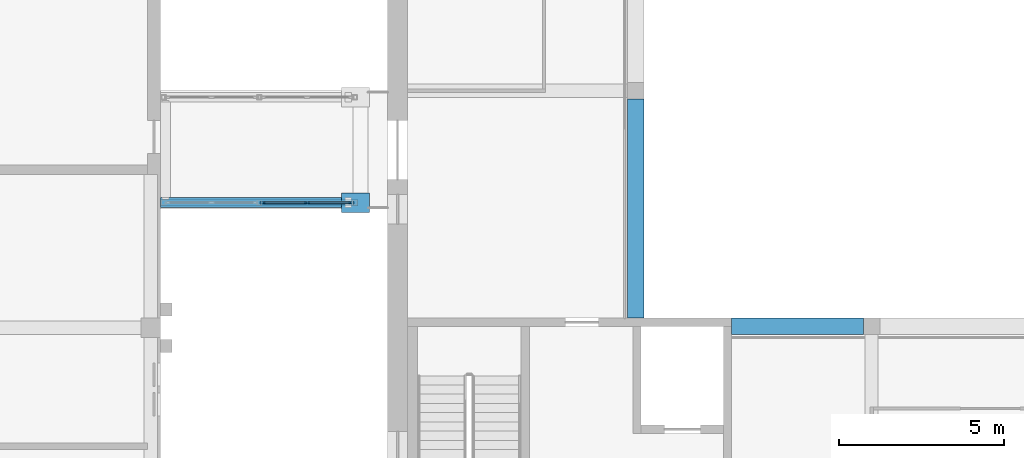
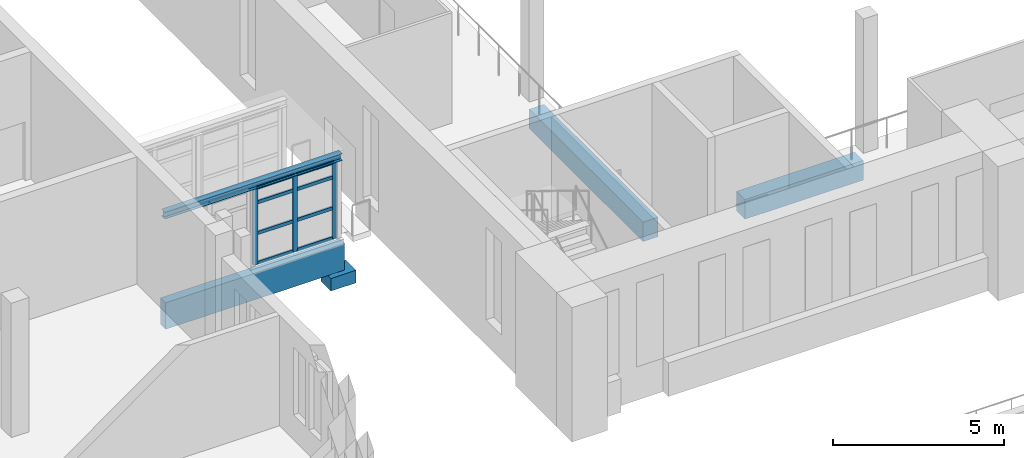
# One storey, part 34 of 131: 11 members, 5 beams, 1 element without a shape of its own.
"""IFC4 building model written with IfcOpenShell, lengths in metres."""

from ifc_helpers import new_model, si_unit, direction, frame, origin, origin_2d, place, context, subcontext, project, spatial, rectangle, i_section, extrude, material, layer, layer_set, material_profile, profile_set, type_object, element, aggregate, save


model = new_model("IFC4")

# Units and contexts
model_context = context("Model", 3, precision=1e-05, world=origin(), true_north=direction((0.0, 1.0)))
body_context = subcontext(model_context, "Body", "Model", "MODEL_VIEW")
ifc_project = project(units=[si_unit("LENGTHUNIT", "METRE"), si_unit("AREAUNIT", "SQUARE_METRE"), si_unit("VOLUMEUNIT", "CUBIC_METRE"), si_unit("PLANEANGLEUNIT", "RADIAN"), si_unit("MASSUNIT", "GRAM", prefix="KILO")], contexts=[model_context])

# Site, building, storey
site_placement = place(None, origin())
site = spatial("IfcSite", under=ifc_project, at=site_placement, CompositionType="ELEMENT")
building_placement = place(site_placement, origin())
building = spatial("IfcBuilding", under=site, at=building_placement, Name="Alderwick Market Hall", CompositionType="ELEMENT")
storey_placement = place(building_placement, frame((0.0, 0.0, 4.800048828125)))
storey = spatial("IfcBuildingStorey", under=building, at=storey_placement, Name="L00", CompositionType="ELEMENT", Elevation=4.800048828125)

# Beams
ifc_material_1 = material(Name="Concrete 5000 psi (f'c 35 MPa)", Category="concrete")
ifc_material_profile_1 = material_profile(ifc_material_1, rectangle(XDim=0.5, YDim=0.699951171875, at=origin_2d()), Name="RC 500x700")
ifc_profile_set_1 = profile_set([ifc_material_profile_1], Name="Concrete 5000 psi (f'c 35 MPa)")
beam_type_1 = type_object("IfcBeamType", Name="H Edge beam 500x700", PredefinedType="BEAM", material=ifc_profile_set_1)
beam_1_placement = place(storey_placement, frame((60.550048828125, 57.639892578125, -0.60009765625), z_axis=(1.0, 0.0, 0.0), x_axis=(0.0, 1.0, 0.0)))
element("IfcBeam", 1, at=beam_1_placement, inside=storey, type_object=beam_type_1, Name="Gallery edge beam S", PredefinedType="BEAM", context=body_context, shape_type="SweptSolid", body=[
    extrude(rectangle(XDim=0.5, YDim=0.699951171875, at=origin_2d()), origin(), (0.0, 0.0, 1.0), 4.0),
])
beam_2_placement = place(storey_placement, frame((57.639892578125, 57.889892578125, -0.60009765625), z_axis=(0.0, 1.0, 0.0), x_axis=(-1.0, 0.0, 0.0)))
element("IfcBeam", 2, at=beam_2_placement, inside=storey, type_object=beam_type_1, Name="Gallery edge beam W", PredefinedType="BEAM", context=body_context, shape_type="SweptSolid", body=[
    extrude(rectangle(XDim=0.5, YDim=0.699951171875, at=origin_2d()), origin(), (0.0, 0.0, 1.0), 6.66015625),
])

# Curtain wall, members
ifc_material_2 = material(Name="Aluminium frame", Category="aluminium")
ifc_layer = layer(ifc_material_2, 0.10009765625)
ifc_layer_set = layer_set([ifc_layer], Name="Aluminium frame")
curtain_wall_type = type_object("IfcCurtainWallType", Name="P Curtain Wall 100", PredefinedType="NOTDEFINED", material=ifc_layer_set)
curtain_wall_placement = place(storey_placement, origin())
curtain_wall = element("IfcCurtainWall", 3, at=curtain_wall_placement, inside=storey, type_object=curtain_wall_type, Name="P.P6.cw.a1", PredefinedType="NOTDEFINED")
ifc_material_profile_2 = material_profile(ifc_material_2, rectangle(XDim=0.06005859375, YDim=0.159912109375, at=origin_2d()), Name="P Mullion 60x160")
ifc_profile_set_2 = profile_set([ifc_material_profile_2], Name="Aluminium frame")
member_type_1 = type_object("IfcMemberType", Name="P Mullion 60x160", PredefinedType="MULLION", material=ifc_profile_set_2)
member_1_placement = place(storey_placement, frame((46.305908203125, 61.39990234375, 0.0), z_axis=(0.0, 0.0, 1.0), x_axis=(0.0, 1.0, 0.0)))
member_1 = element("IfcMember", 4, at=member_1_placement, type_object=member_type_1, Name="P-CW6a1 mullion 1", PredefinedType="MULLION", context=body_context, shape_type="SweptSolid", body=[
    extrude(rectangle(XDim=0.06005859375, YDim=0.159912109375, at=origin_2d()), origin(), (0.0, 0.0, 1.0), 2.7529296875),
])
member_2_placement = place(storey_placement, frame((47.64990234375, 61.39990234375, 0.0), z_axis=(0.0, 0.0, 1.0), x_axis=(0.0, 1.0, 0.0)))
member_2 = element("IfcMember", 5, at=member_2_placement, type_object=member_type_1, Name="P-CW6a1 mullion 2", PredefinedType="MULLION", context=body_context, shape_type="SweptSolid", body=[
    extrude(rectangle(XDim=0.06005859375, YDim=0.159912109375, at=origin_2d()), origin(), (0.0, 0.0, 1.0), 2.7529296875),
])
member_3_placement = place(storey_placement, frame((48.993896484375, 61.39990234375, 0.0), z_axis=(0.0, 0.0, 1.0), x_axis=(0.0, 1.0, 0.0)))
member_3 = element("IfcMember", 6, at=member_3_placement, type_object=member_type_1, Name="P-CW6a1 mullion 3", PredefinedType="MULLION", context=body_context, shape_type="SweptSolid", body=[
    extrude(rectangle(XDim=0.06005859375, YDim=0.159912109375, at=origin_2d()), origin(), (0.0, 0.0, 1.0), 2.7529296875),
])

# Beams
ifc_material_profile_3 = material_profile(ifc_material_1, rectangle(XDim=0.60009765625, YDim=0.449951171875, at=origin_2d()), Name="P RC Bearing Corbel 600x450")
ifc_profile_set_3 = profile_set([ifc_material_profile_3], Name="Concrete 5000 psi (f'c 35 MPa)")
beam_type_2 = type_object("IfcBeamType", Name="P RC Bearing Corbel 600x450", PredefinedType="USERDEFINED", material=ifc_profile_set_3)
beam_3_placement = place(storey_placement, frame((48.699951171875, 61.39990234375, -1.39306640625), z_axis=(1.0, 0.0, 0.0), x_axis=(0.0, 1.0, 0.0)))
element("IfcBeam", 7, at=beam_3_placement, inside=storey, type_object=beam_type_2, Name="Bearing corbel", ObjectType="CORBEL", PredefinedType="USERDEFINED", context=body_context, shape_type="SweptSolid", body=[
    extrude(rectangle(XDim=0.60009765625, YDim=0.449951171875, at=origin_2d()), origin(), (0.0, 0.0, 1.0), 0.85009765625),
])
ifc_material_profile_4 = material_profile(ifc_material_1, rectangle(XDim=0.300048828125, YDim=0.949951171875, at=origin_2d()), Name="P RC Edge Girder 300x950")
ifc_profile_set_4 = profile_set([ifc_material_profile_4], Name="Concrete 5000 psi (f'c 35 MPa)")
beam_type_3 = type_object("IfcBeamType", Name="P RC Edge Girder 300x950", PredefinedType="BEAM", material=ifc_profile_set_4)
beam_4_placement = place(storey_placement, frame((43.199951171875, 61.39990234375, -0.675048828125), z_axis=(1.0, 0.0, 0.0), x_axis=(0.0, 1.0, 0.0)))
element("IfcBeam", 8, at=beam_4_placement, inside=storey, type_object=beam_type_3, Name="P.P6.girder.a", PredefinedType="BEAM", context=body_context, shape_type="SweptSolid", body=[
    extrude(rectangle(XDim=0.300048828125, YDim=0.949951171875, at=origin_2d()), origin(), (0.0, 0.0, 1.0), 6.050048828125),
])
ifc_material_3 = material(Name="Steel ASTM A992 Grade 50", Category="steel")
ifc_material_profile_5 = material_profile(ifc_material_3, i_section(OverallWidth=0.201904296875, OverallDepth=0.2470703125, WebThickness=0.00732421875, FlangeThickness=0.010986328125, at=origin_2d()), Name="W250x49")
ifc_profile_set_5 = profile_set([ifc_material_profile_5], Name="Steel ASTM A992 Grade 50")
beam_type_4 = type_object("IfcBeamType", Name="P Roof Beam W250x49", PredefinedType="BEAM", material=ifc_profile_set_5)
beam_5_placement = place(storey_placement, frame((43.199951171875, 61.39990234375, 2.87646484375), z_axis=(1.0, 0.0, 0.0), x_axis=(0.0, 1.0, 0.0)))
element("IfcBeam", 9, at=beam_5_placement, inside=storey, type_object=beam_type_4, Name="P.P6.rbeam.a", PredefinedType="BEAM", context=body_context, shape_type="SweptSolid", body=[
    extrude(i_section(OverallWidth=0.201904296875, OverallDepth=0.2470703125, WebThickness=0.00732421875, FlangeThickness=0.010986328125, at=origin_2d()), origin(), (0.0, 0.0, 1.0), 6.0),
])

# Member
ifc_material_profile_6 = material_profile(ifc_material_2, rectangle(XDim=0.06005859375, YDim=0.1201171875, at=origin_2d()), Name="P Transom 60x120")
ifc_profile_set_6 = profile_set([ifc_material_profile_6], Name="Aluminium frame")
member_type_2 = type_object("IfcMemberType", Name="P Transom 60x120", PredefinedType="USERDEFINED", material=ifc_profile_set_6)
member_4_placement = place(storey_placement, frame((46.3359375, 61.39990234375, 0.030029296875), z_axis=(1.0, 0.0, 0.0), x_axis=(0.0, 1.0, 0.0)))
member_4 = element("IfcMember", 10, at=member_4_placement, type_object=member_type_2, Name="P-CW6a1 transom 1.1", ObjectType="TRANSOM", PredefinedType="USERDEFINED", context=body_context, shape_type="SweptSolid", body=[
    extrude(rectangle(XDim=0.06005859375, YDim=0.1201171875, at=origin_2d()), origin(), (0.0, 0.0, 1.0), 1.2841796875),
])

member_5_placement = place(storey_placement, frame((46.3359375, 61.39990234375, 1.099853515625), z_axis=(1.0, 0.0, 0.0), x_axis=(0.0, 1.0, 0.0)))
member_5 = element("IfcMember", 11, at=member_5_placement, type_object=member_type_2, Name="P-CW6a1 transom 1.2", ObjectType="TRANSOM", PredefinedType="USERDEFINED", context=body_context, shape_type="SweptSolid", body=[
    extrude(rectangle(XDim=0.06005859375, YDim=0.1201171875, at=origin_2d()), origin(), (0.0, 0.0, 1.0), 1.2841796875),
])

member_6_placement = place(storey_placement, frame((46.3359375, 61.39990234375, 2.199951171875), z_axis=(1.0, 0.0, 0.0), x_axis=(0.0, 1.0, 0.0)))
member_6 = element("IfcMember", 12, at=member_6_placement, type_object=member_type_2, Name="P-CW6a1 transom 1.3", ObjectType="TRANSOM", PredefinedType="USERDEFINED", context=body_context, shape_type="SweptSolid", body=[
    extrude(rectangle(XDim=0.06005859375, YDim=0.1201171875, at=origin_2d()), origin(), (0.0, 0.0, 1.0), 1.2841796875),
])

member_7_placement = place(storey_placement, frame((46.3359375, 61.39990234375, 2.722900390625), z_axis=(1.0, 0.0, 0.0), x_axis=(0.0, 1.0, 0.0)))
member_7 = element("IfcMember", 13, at=member_7_placement, type_object=member_type_2, Name="P-CW6a1 transom 1.4", ObjectType="TRANSOM", PredefinedType="USERDEFINED", context=body_context, shape_type="SweptSolid", body=[
    extrude(rectangle(XDim=0.06005859375, YDim=0.1201171875, at=origin_2d()), origin(), (0.0, 0.0, 1.0), 1.2841796875),
])

member_8_placement = place(storey_placement, frame((47.679931640625, 61.39990234375, 0.030029296875), z_axis=(1.0, 0.0, 0.0), x_axis=(0.0, 1.0, 0.0)))
member_8 = element("IfcMember", 14, at=member_8_placement, type_object=member_type_2, Name="P-CW6a1 transom 2.1", ObjectType="TRANSOM", PredefinedType="USERDEFINED", context=body_context, shape_type="SweptSolid", body=[
    extrude(rectangle(XDim=0.06005859375, YDim=0.1201171875, at=origin_2d()), origin(), (0.0, 0.0, 1.0), 1.2841796875),
])

member_9_placement = place(storey_placement, frame((47.679931640625, 61.39990234375, 1.099853515625), z_axis=(1.0, 0.0, 0.0), x_axis=(0.0, 1.0, 0.0)))
member_9 = element("IfcMember", 15, at=member_9_placement, type_object=member_type_2, Name="P-CW6a1 transom 2.2", ObjectType="TRANSOM", PredefinedType="USERDEFINED", context=body_context, shape_type="SweptSolid", body=[
    extrude(rectangle(XDim=0.06005859375, YDim=0.1201171875, at=origin_2d()), origin(), (0.0, 0.0, 1.0), 1.2841796875),
])

member_10_placement = place(storey_placement, frame((47.679931640625, 61.39990234375, 2.199951171875), z_axis=(1.0, 0.0, 0.0), x_axis=(0.0, 1.0, 0.0)))
member_10 = element("IfcMember", 16, at=member_10_placement, type_object=member_type_2, Name="P-CW6a1 transom 2.3", ObjectType="TRANSOM", PredefinedType="USERDEFINED", context=body_context, shape_type="SweptSolid", body=[
    extrude(rectangle(XDim=0.06005859375, YDim=0.1201171875, at=origin_2d()), origin(), (0.0, 0.0, 1.0), 1.2841796875),
])

member_11_placement = place(storey_placement, frame((47.679931640625, 61.39990234375, 2.722900390625), z_axis=(1.0, 0.0, 0.0), x_axis=(0.0, 1.0, 0.0)))
member_11 = element("IfcMember", 17, at=member_11_placement, type_object=member_type_2, Name="P-CW6a1 transom 2.4", ObjectType="TRANSOM", PredefinedType="USERDEFINED", context=body_context, shape_type="SweptSolid", body=[
    extrude(rectangle(XDim=0.06005859375, YDim=0.1201171875, at=origin_2d()), origin(), (0.0, 0.0, 1.0), 1.2841796875),
])

aggregate(curtain_wall, [member_1, member_2, member_3, member_4, member_5, member_6, member_7, member_8, member_9, member_10, member_11])

save(model, "model.ifc")
